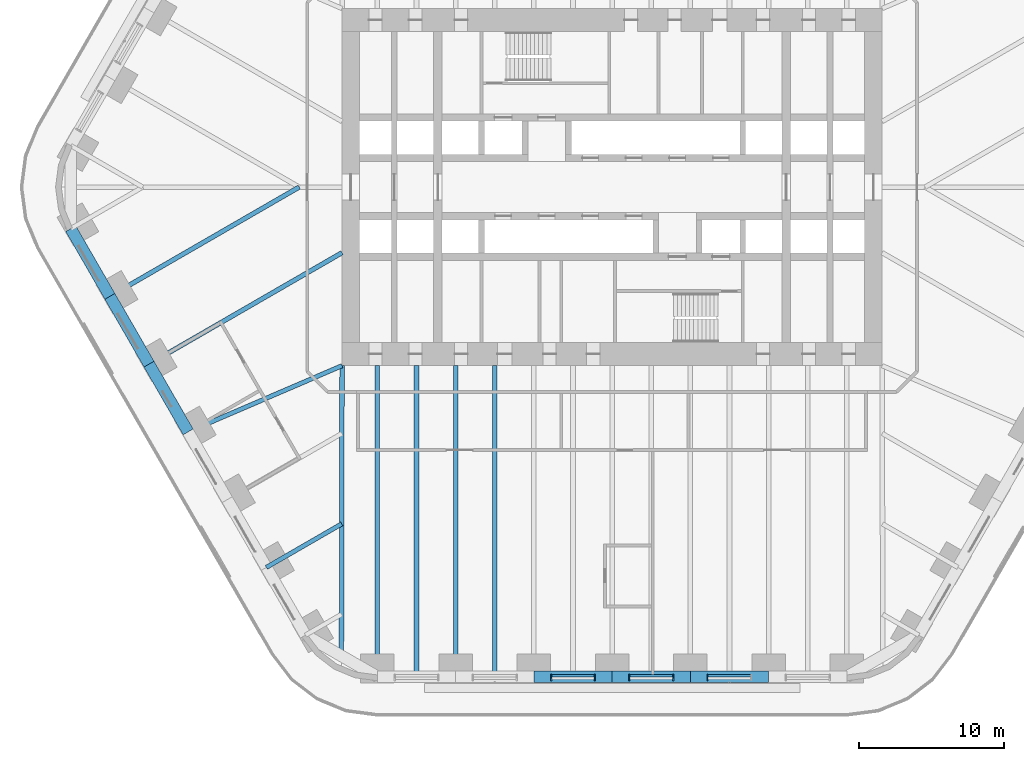
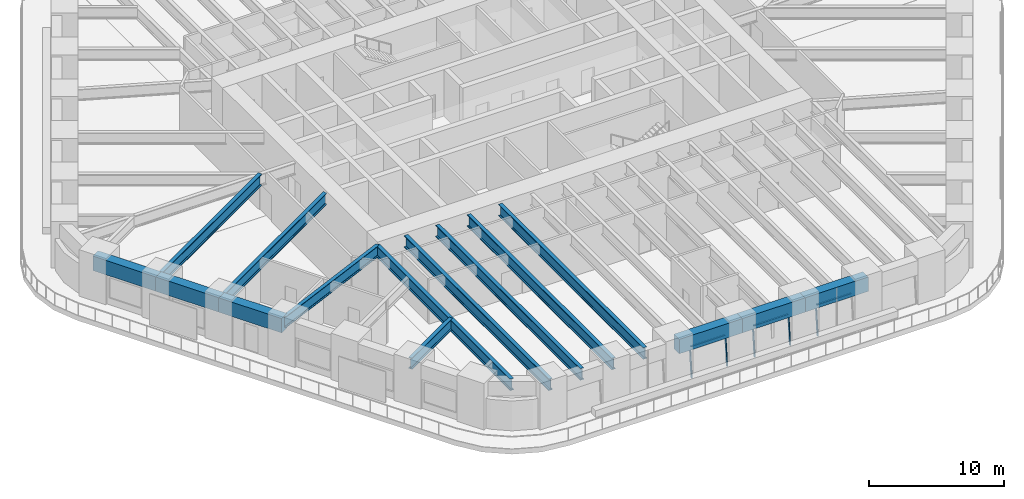
# One storey, part 3 of 23: 15 beams, 8 members, 3 elements without a shape of their own.
"""IFC4 building model written with IfcOpenShell, lengths in metres."""

import ifcopenshell
import ifcopenshell.guid

model = None  # the IFC model being written
_history = None  # IfcOwnerHistory: only IFC2X3 demands one
_inside = {}  # id of a spatial element -> (the spatial element, [elements in it])
_under = {}  # id of a project, library or spatial element -> (it, [spatial elements below it])
_declared = {}  # id of a project -> (the project, [libraries it declares])
_typed = {}  # id of a type object -> (the type object, [elements of that type])
_made_of = {}  # id of a material, layer set ... -> (it, [elements and type objects made of it])


def new_model(schema):
    """Start an empty IFC model of exactly this schema.

    Asked for "IFC4X3", IfcOpenShell would pick the latest addendum, in which some entities
    have other attributes; the version numbers below select the first issue.
    IFC2X3 requires an IfcOwnerHistory on every rooted entity: one is made here for all.
    """
    global model, _history
    if schema == "IFC4X3":
        model = ifcopenshell.file(schema_version=(4, 3, 0, 0))
    else:
        model = ifcopenshell.file(schema=schema)
    _inside.clear()
    _under.clear()
    _declared.clear()
    _typed.clear()
    _made_of.clear()
    _history = None
    if model.schema == "IFC2X3":
        org = make("IfcOrganization", Name="unknown")
        user = make(
            "IfcPersonAndOrganization",
            ThePerson=make("IfcPerson", FamilyName="unknown"),
            TheOrganization=org,
        )
        app = make(
            "IfcApplication",
            ApplicationDeveloper=org,
            Version="unknown",
            ApplicationFullName="unknown",
            ApplicationIdentifier="unknown",
        )
        _history = make(
            "IfcOwnerHistory",
            OwningUser=user,
            OwningApplication=app,
            ChangeAction="ADDED",
            CreationDate=0,
        )
    return model


def make(cls, **values):
    """One entity of the class cls with the attributes given. An attribute that is None is left unset."""
    return model.create_entity(
        cls, **{name: value for name, value in values.items() if value is not None}
    )


def rooted(cls, **values):
    """An entity with a GlobalId (a new one), such as an element, a storey or a relation."""
    return make(cls, GlobalId=ifcopenshell.guid.new(), OwnerHistory=_history, **values)


def si_unit(unit_type, name, prefix=None):
    """IfcSIUnit, for example si_unit("LENGTHUNIT", "METRE", prefix="MILLI")."""
    return make("IfcSIUnit", UnitType=unit_type, Prefix=prefix, Name=name)


def assignment(units):
    """IfcUnitAssignment: the units of a project."""
    return None if units is None else make("IfcUnitAssignment", Units=units)


def point(xyz):
    """IfcCartesianPoint."""
    return None if xyz is None else make("IfcCartesianPoint", Coordinates=xyz)


def direction(xyz):
    """IfcDirection."""
    return None if xyz is None else make("IfcDirection", DirectionRatios=xyz)


def frame(location, z_axis=None, x_axis=None):
    """IfcAxis2Placement3D, a coordinate frame: its origin and axes. An axis left out is left unset."""
    return make(
        "IfcAxis2Placement3D",
        Location=point(location),
        Axis=direction(z_axis),
        RefDirection=direction(x_axis),
    )


def frame_2d(location, x_axis=None):
    """IfcAxis2Placement2D, a coordinate frame in the plane: its origin and x axis."""
    return make(
        "IfcAxis2Placement2D", Location=point(location), RefDirection=direction(x_axis)
    )


def origin():
    """The frame at (0, 0, 0) with its axes left unset."""
    return frame((0.0, 0.0, 0.0))


def origin_2d():
    """The frame at (0, 0) in the plane with its x axis left unset."""
    return frame_2d((0.0, 0.0))


def place(relative_to, where):
    """IfcLocalPlacement: puts the frame where relative to a parent placement (None: the world)."""
    return make(
        "IfcLocalPlacement", PlacementRelTo=relative_to, RelativePlacement=where
    )


def context(
    kind, dimensions, precision=None, world=None, true_north=None, identifier=None
):
    """IfcGeometricRepresentationContext, for example the 3D "Model" context."""
    return make(
        "IfcGeometricRepresentationContext",
        ContextIdentifier=identifier,
        ContextType=kind,
        CoordinateSpaceDimension=dimensions,
        Precision=precision,
        WorldCoordinateSystem=world,
        TrueNorth=true_north,
    )


def subcontext(parent, identifier, kind, view, scale=None):
    """IfcGeometricRepresentationSubContext, for example "Body" below "Model"."""
    return make(
        "IfcGeometricRepresentationSubContext",
        ContextIdentifier=identifier,
        ContextType=kind,
        ParentContext=parent,
        TargetScale=scale,
        TargetView=view,
    )


def project(units=None, contexts=None):
    """IfcProject with its units and contexts."""
    return rooted(
        "IfcProject",
        Name="project",
        RepresentationContexts=contexts,
        UnitsInContext=assignment(units),
    )


def spatial(cls, under=None, at=None, **own):
    """A site, building, storey or space (cls), placed at a placement, below another one or the project."""
    s = rooted(cls, ObjectPlacement=at, **own)
    if under is not None:
        _under.setdefault(under.id(), (under, []))[1].append(s)
    return s


def profile(cls, at=None, kind="AREA", **sizes):
    """A parametric profile (cls). Its sizes go by their IFC names, for example OverallWidth=200.0."""
    return make(cls, ProfileType=kind, Position=at, **sizes)


def rectangle(**sizes):
    """IfcRectangleProfileDef."""
    return profile("IfcRectangleProfileDef", **sizes)


def i_section(**sizes):
    """IfcIShapeProfileDef."""
    return profile("IfcIShapeProfileDef", **sizes)


def extrude(swept, where, along, depth):
    """IfcExtrudedAreaSolid: the profile swept, set in the frame where, extruded along a direction by depth."""
    return make(
        "IfcExtrudedAreaSolid",
        SweptArea=swept,
        Position=where,
        ExtrudedDirection=direction(along),
        Depth=depth,
    )


def shape(context_of_items, identifier, shape_type, items):
    """IfcShapeRepresentation: the items that make up one representation, for example the "Body"."""
    return make(
        "IfcShapeRepresentation",
        ContextOfItems=context_of_items,
        RepresentationIdentifier=identifier,
        RepresentationType=shape_type,
        Items=items,
    )


def material(Name=None, Category=None):
    """IfcMaterial."""
    return make("IfcMaterial", Name=Name, Category=Category)


def material_profile(
    of_material, cross_section, Name=None, Category=None, Priority=None
):
    """IfcMaterialProfile: a cross section and its material."""
    return make(
        "IfcMaterialProfile",
        Name=Name,
        Material=of_material,
        Profile=cross_section,
        Priority=Priority,
        Category=Category,
    )


def profile_set(profiles, Name=None, composite=None):
    """IfcMaterialProfileSet."""
    return make(
        "IfcMaterialProfileSet",
        Name=Name,
        MaterialProfiles=profiles,
        CompositeProfile=composite,
    )


def made_of(thing, what):
    """Note that an element or type object is made of a material, layer set ...; save() writes the relation."""
    if what is not None:
        _made_of.setdefault(what.id(), (what, []))[1].append(thing)
    return thing


def type_object(cls, material=None, **own):
    """A type object (cls), such as IfcWallType, which elements share."""
    return made_of(rooted(cls, **own), material)


def element(
    cls,
    number,
    at=None,
    inside=None,
    cuts=None,
    type_object=None,
    material=None,
    context=None,
    identifier="Body",
    shape_type=None,
    held_by="IfcProductDefinitionShape",
    body=None,
    shapes=None,
    **own,
):
    """One element of the class cls, such as IfcWall. Its Tag is "e" and its number.

    at: its placement. inside: the storey or other place that contains it. cuts: it is an
    opening in that element (IfcRelVoidsElement). A single representation is given by context,
    identifier, shape_type and body (its items); several are given by shapes. held_by: the class
    of the entity that holds the representations. save() writes the other relations.
    """
    e = rooted(cls, Tag="e%d" % number, ObjectPlacement=at, **own)
    if body is not None:
        shapes = [shape(context, identifier, shape_type, body)]
    if shapes is not None:
        e.Representation = make(held_by, Representations=shapes)
    if inside is not None:
        _inside.setdefault(inside.id(), (inside, []))[1].append(e)
    if cuts is not None:
        rooted(
            "IfcRelVoidsElement", RelatingBuildingElement=cuts, RelatedOpeningElement=e
        )
    if type_object is not None:
        _typed.setdefault(type_object.id(), (type_object, []))[1].append(e)
    return made_of(e, material)


def aggregate(whole, parts):
    """IfcRelAggregates: a whole, such as a stair, and the parts it consists of."""
    return rooted("IfcRelAggregates", RelatingObject=whole, RelatedObjects=parts)


def save(model, path):
    """Write the relations noted so far, then the file.

    IfcRelAggregates (storeys below a building ...), IfcRelContainedInSpatialStructure (elements
    in a storey), IfcRelDefinesByType, IfcRelAssociatesMaterial and IfcRelDeclares: one each for
    every whole, place, type object, material and project.
    """
    for whole, parts in _under.values():
        aggregate(whole, parts)
    for where, things in _inside.values():
        rooted(
            "IfcRelContainedInSpatialStructure",
            RelatedElements=things,
            RelatingStructure=where,
        )
    for kind, things in _typed.values():
        rooted("IfcRelDefinesByType", RelatedObjects=things, RelatingType=kind)
    for what, things in _made_of.values():
        rooted("IfcRelAssociatesMaterial", RelatedObjects=things, RelatingMaterial=what)
    for by, libraries in _declared.values():
        rooted("IfcRelDeclares", RelatingContext=by, RelatedDefinitions=libraries)
    model.write(path)


model = new_model("IFC4")

# Units and contexts
model_context = context("Model", 3, precision=1e-05, world=origin(), true_north=direction((0.0, 1.0)))
body_context = subcontext(model_context, "Body", "Model", "MODEL_VIEW")
ifc_project = project(units=[si_unit("LENGTHUNIT", "METRE"), si_unit("AREAUNIT", "SQUARE_METRE"), si_unit("VOLUMEUNIT", "CUBIC_METRE"), si_unit("PLANEANGLEUNIT", "RADIAN"), si_unit("MASSUNIT", "GRAM", prefix="KILO")], contexts=[model_context])

# Site, building, storey
site_placement = place(None, origin())
site = spatial("IfcSite", under=ifc_project, at=site_placement, CompositionType="ELEMENT")
building_placement = place(site_placement, origin())
building = spatial("IfcBuilding", under=site, at=building_placement, Name="Tarfa Lantern Tower", CompositionType="ELEMENT")
storey_placement = place(building_placement, frame((0.0, 0.0, 31.89990234375)))
storey = spatial("IfcBuildingStorey", under=building, at=storey_placement, Name="L06", CompositionType="ELEMENT", Elevation=31.89990234375)

# Curtain wall, members
ifc_material_1 = material(Name="Aluminium framed curtain wall", Category="aluminium")
curtain_wall_type = type_object("IfcCurtainWallType", Name="CW1 CANTED GLAZING LOW ZONE 2700", PredefinedType="USERDEFINED", material=ifc_material_1)
curtain_wall_1_placement = place(storey_placement, origin())
curtain_wall_1 = element("IfcCurtainWall", 1, at=curtain_wall_1_placement, inside=storey, type_object=curtain_wall_type, Name="CW1 S L06", ObjectType="CURTAIN WALL", PredefinedType="USERDEFINED")
ifc_material_2 = material(Name="Aluminium mullion", Category="aluminium")
ifc_material_profile_1 = material_profile(ifc_material_2, rectangle(XDim=0.06494140625, YDim=0.199951171875, at=origin_2d()), Name="AL MULLION 65x200")
ifc_profile_set_1 = profile_set([ifc_material_profile_1], Name="Aluminium mullion")
member_type_1 = type_object("IfcMemberType", Name="CWM1 MULLION 65x200", PredefinedType="MULLION", material=ifc_profile_set_1)
member_1_placement = place(storey_placement, frame((-4.2060546875, -33.89990234375, 0.0), z_axis=(0.0, 0.092191598296, 0.995741286281), x_axis=(-1.0, 0.0, 0.0)))
member_1 = element("IfcMember", 2, at=member_1_placement, type_object=member_type_1, Name="CW1 mullion 1", PredefinedType="MULLION", context=body_context, shape_type="SweptSolid", body=[
    extrude(rectangle(XDim=0.06494140625, YDim=0.199951171875, at=origin_2d()), origin(), (0.0, 0.0, 1.0), 2.711669921875),
])
member_2_placement = place(storey_placement, frame((-1.1826171875, -33.89990234375, 0.0), z_axis=(0.0, 0.092191598296, 0.995741286281), x_axis=(-1.0, 0.0, 0.0)))
member_2 = element("IfcMember", 3, at=member_2_placement, type_object=member_type_1, Name="CW1 mullion 2", PredefinedType="MULLION", context=body_context, shape_type="SweptSolid", body=[
    extrude(rectangle(XDim=0.06494140625, YDim=0.199951171875, at=origin_2d()), origin(), (0.0, 0.0, 1.0), 2.711669921875),
])

curtain_wall_2_placement = place(storey_placement, origin())
curtain_wall_2 = element("IfcCurtainWall", 4, at=curtain_wall_2_placement, inside=storey, type_object=curtain_wall_type, Name="CW1 S L06", ObjectType="CURTAIN WALL", PredefinedType="USERDEFINED")
member_3_placement = place(storey_placement, frame((1.1826171875, -33.89990234375, 0.0), z_axis=(0.0, 0.092191598296, 0.995741286281), x_axis=(-1.0, 0.0, 0.0)))
member_3 = element("IfcMember", 5, at=member_3_placement, type_object=member_type_1, Name="CW1 mullion 1", PredefinedType="MULLION", context=body_context, shape_type="SweptSolid", body=[
    extrude(rectangle(XDim=0.06494140625, YDim=0.199951171875, at=origin_2d()), origin(), (0.0, 0.0, 1.0), 2.711669921875),
])
member_4_placement = place(storey_placement, frame((4.2060546875, -33.89990234375, 0.0), z_axis=(0.0, 0.092191598296, 0.995741286281), x_axis=(-1.0, 0.0, 0.0)))
member_4 = element("IfcMember", 6, at=member_4_placement, type_object=member_type_1, Name="CW1 mullion 2", PredefinedType="MULLION", context=body_context, shape_type="SweptSolid", body=[
    extrude(rectangle(XDim=0.06494140625, YDim=0.199951171875, at=origin_2d()), origin(), (0.0, 0.0, 1.0), 2.711669921875),
])

# Curtain wall, member
curtain_wall_3_placement = place(storey_placement, origin())
curtain_wall_3 = element("IfcCurtainWall", 7, at=curtain_wall_3_placement, inside=storey, type_object=curtain_wall_type, Name="CW1 S L06", ObjectType="CURTAIN WALL", PredefinedType="USERDEFINED")
member_5_placement = place(storey_placement, frame((6.571044921875, -33.89990234375, 0.0), z_axis=(0.0, 0.092191598296, 0.995741286281), x_axis=(-1.0, 0.0, 0.0)))
member_5 = element("IfcMember", 8, at=member_5_placement, type_object=member_type_1, Name="CW1 mullion 1", PredefinedType="MULLION", context=body_context, shape_type="SweptSolid", body=[
    extrude(rectangle(XDim=0.06494140625, YDim=0.199951171875, at=origin_2d()), origin(), (0.0, 0.0, 1.0), 2.711669921875),
])

# Member
ifc_material_3 = material(Name="Aluminium transom", Category="aluminium")
ifc_material_profile_2 = material_profile(ifc_material_3, rectangle(XDim=0.14990234375, YDim=0.06494140625, at=origin_2d()), Name="AL TRANSOM 150x65")
ifc_profile_set_2 = profile_set([ifc_material_profile_2], Name="Aluminium transom")
member_type_2 = type_object("IfcMemberType", Name="CWT1 TRANSOM 150x65", PredefinedType="USERDEFINED", material=ifc_profile_set_2)
member_6_placement = place(storey_placement, frame((-4.173583984375, -33.653076171875, 2.66748046875), z_axis=(1.0, 0.0, 0.0), x_axis=(0.0, 1.0, 0.0)))
member_6 = element("IfcMember", 9, at=member_6_placement, type_object=member_type_2, Name="CW1 transom 1.2", ObjectType="TRANSOM", PredefinedType="USERDEFINED", context=body_context, shape_type="SweptSolid", body=[
    extrude(rectangle(XDim=0.14990234375, YDim=0.06494140625, at=origin_2d()), origin(), (0.0, 0.0, 1.0), 2.95849609375),
])

aggregate(curtain_wall_1, [member_1, member_2, member_6])

member_7_placement = place(storey_placement, frame((1.215087890625, -33.653076171875, 2.66748046875), z_axis=(1.0, 0.0, 0.0), x_axis=(0.0, 1.0, 0.0)))
member_7 = element("IfcMember", 10, at=member_7_placement, type_object=member_type_2, Name="CW1 transom 1.2", ObjectType="TRANSOM", PredefinedType="USERDEFINED", context=body_context, shape_type="SweptSolid", body=[
    extrude(rectangle(XDim=0.14990234375, YDim=0.06494140625, at=origin_2d()), origin(), (0.0, 0.0, 1.0), 2.95849609375),
])

aggregate(curtain_wall_2, [member_3, member_4, member_7])

member_8_placement = place(storey_placement, frame((6.603515625, -33.653076171875, 2.66748046875), z_axis=(1.0, 0.0, 0.0), x_axis=(0.0, 1.0, 0.0)))
member_8 = element("IfcMember", 11, at=member_8_placement, type_object=member_type_2, Name="CW1 transom 1.2", ObjectType="TRANSOM", PredefinedType="USERDEFINED", context=body_context, shape_type="SweptSolid", body=[
    extrude(rectangle(XDim=0.14990234375, YDim=0.06494140625, at=origin_2d()), origin(), (0.0, 0.0, 1.0), 2.958740234375),
])

aggregate(curtain_wall_3, [member_5, member_8])

# Beams
ifc_material_4 = material(Name="Concrete C80/95", Category="concrete")
ifc_material_profile_3 = material_profile(ifc_material_4, rectangle(XDim=0.800048828125, YDim=1.300048828125, at=origin_2d()), Name="RC 800x1300")
ifc_profile_set_3 = profile_set([ifc_material_profile_3], Name="Concrete C80/95")
beam_type_1 = type_object("IfcBeamType", Name="EB1 RC 800x1300", PredefinedType="SPANDREL", material=ifc_profile_set_3)
beam_1_placement = place(storey_placement, frame((-37.285400390625, -2.860107421875, 3.35009765625), z_axis=(0.500017906299, -0.866015065331, 0.0), x_axis=(0.866015065331, 0.500017906299, 0.0)))
element("IfcBeam", 12, at=beam_1_placement, inside=storey, type_object=beam_type_1, Name="Edge beam SW0", PredefinedType="SPANDREL", context=body_context, shape_type="SweptSolid", body=[
    extrude(rectangle(XDim=0.800048828125, YDim=1.300048828125, at=origin_2d()), origin(), (0.0, 0.0, 1.0), 5.388427734375),
])
for number, where, z_axis, x_axis, name in (
    (13, (-34.591064453125, -7.526611328125, 3.35009765625), (0.499998287579, -0.866026392449, 0.0), (0.866026392449, 0.499998287579, 0.0), "Edge beam SW1"),
    (14, (-31.896728515625, -12.193359375, 3.35009765625), (0.499998287579, -0.866026392449, 0.0), (0.866026392449, 0.499998287579, 0.0), "Edge beam SW2"),
    (15, (-5.388671875, -33.719970703125, 3.35009765625), (1.0, 0.0, 0.0), (0.0, 1.0, 0.0), "Edge beam S2"),
    (16, (0.0, -33.719970703125, 3.35009765625), (1.0, 0.0, 0.0), (0.0, 1.0, 0.0), "Edge beam S3"),
):
    element("IfcBeam", number, at=place(storey_placement, frame(where, z_axis=z_axis, x_axis=x_axis)), inside=storey, type_object=beam_type_1, Name=name, PredefinedType="SPANDREL", context=body_context, shape_type="SweptSolid", body=[
        extrude(rectangle(XDim=0.800048828125, YDim=1.300048828125, at=origin_2d()), origin(), (0.0, 0.0, 1.0), 5.388671875),
    ])
beam_2_placement = place(storey_placement, frame((5.388671875, -33.719970703125, 3.35009765625), z_axis=(1.0, 0.0, 0.0), x_axis=(0.0, 1.0, 0.0)))
element("IfcBeam", 17, at=beam_2_placement, inside=storey, type_object=beam_type_1, Name="Edge beam S4", PredefinedType="SPANDREL", context=body_context, shape_type="SweptSolid", body=[
    extrude(rectangle(XDim=0.800048828125, YDim=1.300048828125, at=origin_2d()), origin(), (0.0, 0.0, 1.0), 5.388427734375),
])
ifc_material_5 = material(Name="Steel S460M", Category="steel")
ifc_material_profile_4 = material_profile(ifc_material_5, i_section(OverallWidth=0.302001953125, OverallDepth=1.008056640625, WebThickness=0.02099609375, FlangeThickness=0.0400390625, FilletRadius=0.030029296875, at=origin_2d()), Name="UB1016x305x349")
ifc_profile_set_4 = profile_set([ifc_material_profile_4], Name="Steel S460M")
beam_type_2 = type_object("IfcBeamType", Name="UB1016x305x349", PredefinedType="BEAM", material=ifc_profile_set_4)
beam_3_placement = place(storey_placement, frame((-29.202392578125, -16.860107421875, 3.49609375), z_axis=(0.918635483867, 0.395106122175, 0.0), x_axis=(-0.395106122175, 0.918635483867, 0.0)))
element("IfcBeam", 18, at=beam_3_placement, inside=storey, type_object=beam_type_2, Name="Floor beam SW3", PredefinedType="BEAM", context=body_context, shape_type="SweptSolid", body=[
    extrude(i_section(OverallWidth=0.302001953125, OverallDepth=1.008056640625, WebThickness=0.02099609375, FlangeThickness=0.0400390625, FilletRadius=0.030029296875, at=origin_2d()), origin(), (0.0, 0.0, 1.0), 11.541259765625),
])
beam_4_placement = place(storey_placement, frame((-23.813720703125, -26.193359375, 3.49609375), z_axis=(0.866015997389, 0.500016292001, 0.0), x_axis=(-0.500016292001, 0.866015997389, 0.0)))
element("IfcBeam", 19, at=beam_4_placement, inside=storey, type_object=beam_type_2, Name="Floor beam SW5", PredefinedType="BEAM", context=body_context, shape_type="SweptSolid", body=[
    extrude(i_section(OverallWidth=0.302001953125, OverallDepth=1.008056640625, WebThickness=0.02099609375, FlangeThickness=0.0400390625, FilletRadius=0.030029296875, at=origin_2d()), origin(), (0.0, 0.0, 1.0), 5.993408203125),
])
ifc_material_profile_5 = material_profile(ifc_material_5, i_section(OverallWidth=0.314208984375, OverallDepth=1.055908203125, WebThickness=0.035888671875, FlangeThickness=0.06396484375, FilletRadius=0.030029296875, at=origin_2d()), Name="UB1016x305x584")
ifc_profile_set_5 = profile_set([ifc_material_profile_5], Name="Steel S460M")
beam_type_3 = type_object("IfcBeamType", Name="UB1016x305x584", PredefinedType="BEAM", material=ifc_profile_set_5)
beam_5_placement = place(storey_placement, frame((-18.60009765625, -12.300048828125, 3.47216796875), z_axis=(-0.00212508222, -0.99999774201, 0.0), x_axis=(0.99999774201, -0.00212508222, 0.0)))
element("IfcBeam", 20, at=beam_5_placement, inside=storey, type_object=beam_type_3, Name="Hip girder SW", PredefinedType="BEAM", context=body_context, shape_type="SweptSolid", body=[
    extrude(i_section(OverallWidth=0.314208984375, OverallDepth=1.055908203125, WebThickness=0.035888671875, FlangeThickness=0.06396484375, FilletRadius=0.030029296875, at=origin_2d()), origin(), (0.0, 0.0, 1.0), 19.989990234375),
])
beam_6_placement = place(storey_placement, frame((-34.591064453125, -7.526611328125, 3.47216796875), z_axis=(0.86602785945, 0.499995746638, 0.0), x_axis=(-0.499995746638, 0.86602785945, 0.0)))
element("IfcBeam", 21, at=beam_6_placement, inside=storey, type_object=beam_type_3, Name="Floor beam SW1", PredefinedType="BEAM", context=body_context, shape_type="SweptSolid", body=[
    extrude(i_section(OverallWidth=0.314208984375, OverallDepth=1.055908203125, WebThickness=0.035888671875, FlangeThickness=0.06396484375, FilletRadius=0.030029296875, at=origin_2d()), origin(), (0.0, 0.0, 1.0), 15.053466796875),
])
beam_7_placement = place(storey_placement, frame((-31.896728515625, -12.193359375, 3.47216796875), z_axis=(0.866026971665, 0.499997284341, 0.0), x_axis=(-0.499997284341, 0.866026971665, 0.0)))
element("IfcBeam", 22, at=beam_7_placement, inside=storey, type_object=beam_type_3, Name="Floor beam SW2", PredefinedType="BEAM", context=body_context, shape_type="SweptSolid", body=[
    extrude(i_section(OverallWidth=0.314208984375, OverallDepth=1.055908203125, WebThickness=0.035888671875, FlangeThickness=0.06396484375, FilletRadius=0.030029296875, at=origin_2d()), origin(), (0.0, 0.0, 1.0), 15.353515625),
])
for number, where, z_axis, x_axis, name in (
    (23, (-16.165771484375, -33.719970703125, 3.47216796875), (0.0, 1.0, 0.0), (-1.0, 0.0, 0.0), "Floor beam S0"),
    (24, (-10.777099609375, -33.719970703125, 3.47216796875), (0.0, 1.0, 0.0), (-1.0, 0.0, 0.0), "Floor beam S1"),
    (25, (-13.471435546875, -33.719970703125, 3.47216796875), (0.0, 1.0, 0.0), (-1.0, 0.0, 0.0), "Floor beam S0M"),
    (26, (-8.0830078125, -33.719970703125, 3.47216796875), (0.0, 1.0, 0.0), (-1.0, 0.0, 0.0), "Floor beam S1M"),
):
    element("IfcBeam", number, at=place(storey_placement, frame(where, z_axis=z_axis, x_axis=x_axis)), inside=storey, type_object=beam_type_3, Name=name, PredefinedType="BEAM", context=body_context, shape_type="SweptSolid", body=[
        extrude(i_section(OverallWidth=0.314208984375, OverallDepth=1.055908203125, WebThickness=0.035888671875, FlangeThickness=0.06396484375, FilletRadius=0.030029296875, at=origin_2d()), origin(), (0.0, 0.0, 1.0), 21.419921875),
    ])

save(model, "model.ifc")
